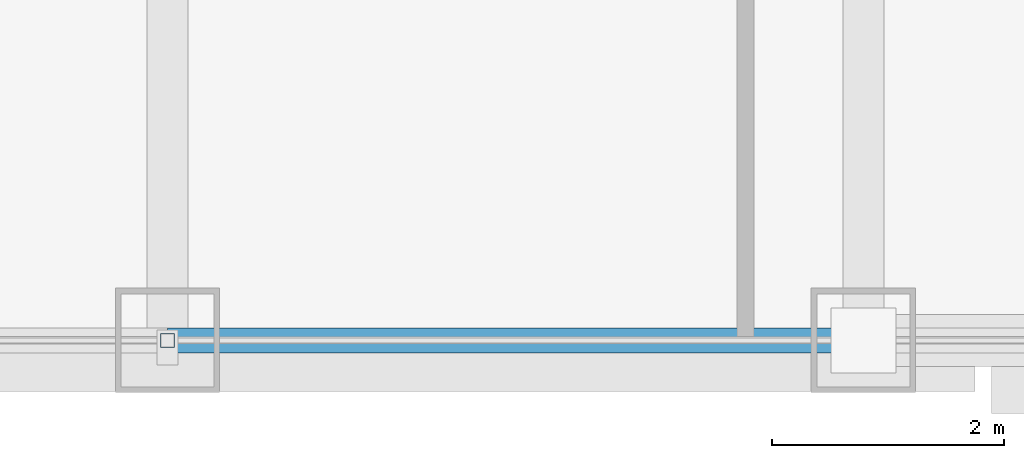
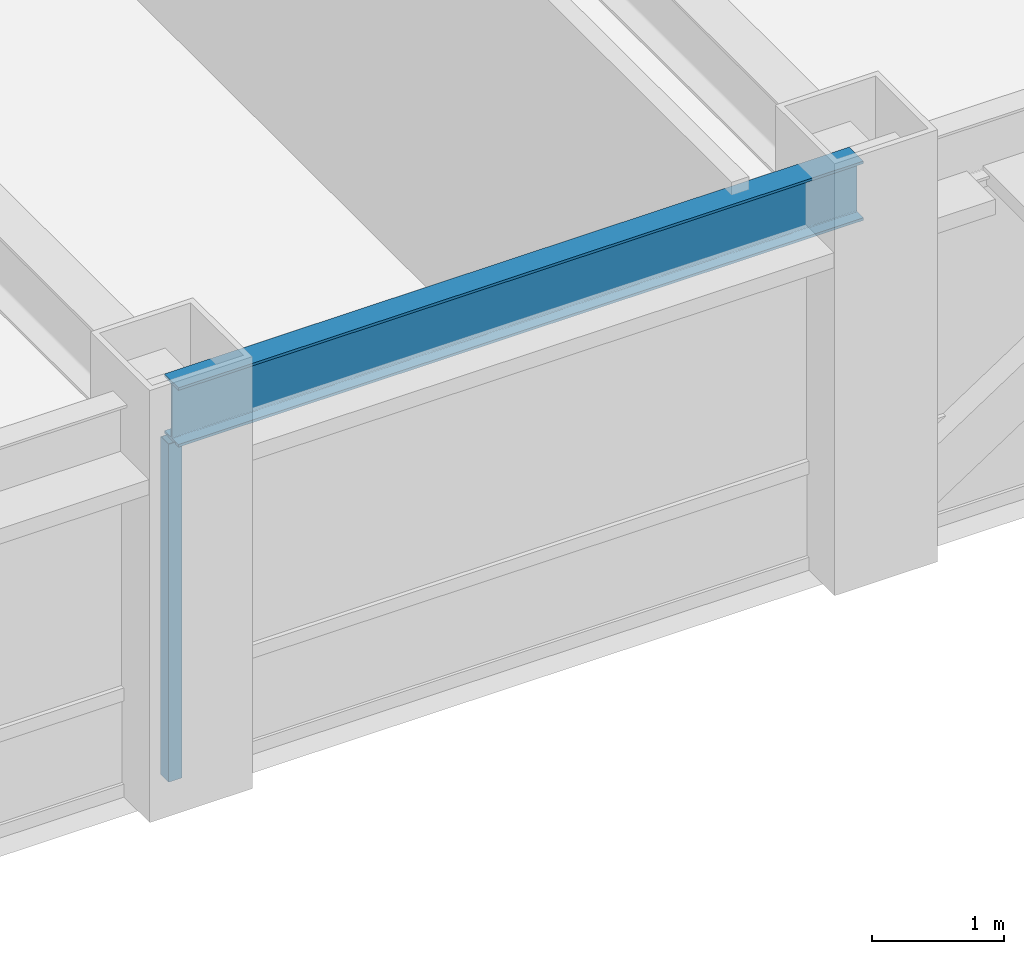
# One storey, part 4 of 27: 1 beam, 1 member, 1 element without a shape of its own.
"""IFC4 building model written with IfcOpenShell, lengths in metres."""

import ifcopenshell
import ifcopenshell.guid

model = None  # the IFC model being written
_history = None  # IfcOwnerHistory: only IFC2X3 demands one
_inside = {}  # id of a spatial element -> (the spatial element, [elements in it])
_under = {}  # id of a project, library or spatial element -> (it, [spatial elements below it])
_declared = {}  # id of a project -> (the project, [libraries it declares])
_typed = {}  # id of a type object -> (the type object, [elements of that type])
_made_of = {}  # id of a material, layer set ... -> (it, [elements and type objects made of it])


def new_model(schema):
    """Start an empty IFC model of exactly this schema.

    Asked for "IFC4X3", IfcOpenShell would pick the latest addendum, in which some entities
    have other attributes; the version numbers below select the first issue.
    IFC2X3 requires an IfcOwnerHistory on every rooted entity: one is made here for all.
    """
    global model, _history
    if schema == "IFC4X3":
        model = ifcopenshell.file(schema_version=(4, 3, 0, 0))
    else:
        model = ifcopenshell.file(schema=schema)
    _inside.clear()
    _under.clear()
    _declared.clear()
    _typed.clear()
    _made_of.clear()
    _history = None
    if model.schema == "IFC2X3":
        org = make("IfcOrganization", Name="unknown")
        user = make(
            "IfcPersonAndOrganization",
            ThePerson=make("IfcPerson", FamilyName="unknown"),
            TheOrganization=org,
        )
        app = make(
            "IfcApplication",
            ApplicationDeveloper=org,
            Version="unknown",
            ApplicationFullName="unknown",
            ApplicationIdentifier="unknown",
        )
        _history = make(
            "IfcOwnerHistory",
            OwningUser=user,
            OwningApplication=app,
            ChangeAction="ADDED",
            CreationDate=0,
        )
    return model


def make(cls, **values):
    """One entity of the class cls with the attributes given. An attribute that is None is left unset."""
    return model.create_entity(
        cls, **{name: value for name, value in values.items() if value is not None}
    )


def rooted(cls, **values):
    """An entity with a GlobalId (a new one), such as an element, a storey or a relation."""
    return make(cls, GlobalId=ifcopenshell.guid.new(), OwnerHistory=_history, **values)


def si_unit(unit_type, name, prefix=None):
    """IfcSIUnit, for example si_unit("LENGTHUNIT", "METRE", prefix="MILLI")."""
    return make("IfcSIUnit", UnitType=unit_type, Prefix=prefix, Name=name)


def assignment(units):
    """IfcUnitAssignment: the units of a project."""
    return None if units is None else make("IfcUnitAssignment", Units=units)


def point(xyz):
    """IfcCartesianPoint."""
    return None if xyz is None else make("IfcCartesianPoint", Coordinates=xyz)


def direction(xyz):
    """IfcDirection."""
    return None if xyz is None else make("IfcDirection", DirectionRatios=xyz)


def frame(location, z_axis=None, x_axis=None):
    """IfcAxis2Placement3D, a coordinate frame: its origin and axes. An axis left out is left unset."""
    return make(
        "IfcAxis2Placement3D",
        Location=point(location),
        Axis=direction(z_axis),
        RefDirection=direction(x_axis),
    )


def frame_2d(location, x_axis=None):
    """IfcAxis2Placement2D, a coordinate frame in the plane: its origin and x axis."""
    return make(
        "IfcAxis2Placement2D", Location=point(location), RefDirection=direction(x_axis)
    )


def origin():
    """The frame at (0, 0, 0) with its axes left unset."""
    return frame((0.0, 0.0, 0.0))


def origin_2d():
    """The frame at (0, 0) in the plane with its x axis left unset."""
    return frame_2d((0.0, 0.0))


def place(relative_to, where):
    """IfcLocalPlacement: puts the frame where relative to a parent placement (None: the world)."""
    return make(
        "IfcLocalPlacement", PlacementRelTo=relative_to, RelativePlacement=where
    )


def context(
    kind, dimensions, precision=None, world=None, true_north=None, identifier=None
):
    """IfcGeometricRepresentationContext, for example the 3D "Model" context."""
    return make(
        "IfcGeometricRepresentationContext",
        ContextIdentifier=identifier,
        ContextType=kind,
        CoordinateSpaceDimension=dimensions,
        Precision=precision,
        WorldCoordinateSystem=world,
        TrueNorth=true_north,
    )


def subcontext(parent, identifier, kind, view, scale=None):
    """IfcGeometricRepresentationSubContext, for example "Body" below "Model"."""
    return make(
        "IfcGeometricRepresentationSubContext",
        ContextIdentifier=identifier,
        ContextType=kind,
        ParentContext=parent,
        TargetScale=scale,
        TargetView=view,
    )


def project(units=None, contexts=None):
    """IfcProject with its units and contexts."""
    return rooted(
        "IfcProject",
        Name="project",
        RepresentationContexts=contexts,
        UnitsInContext=assignment(units),
    )


def spatial(cls, under=None, at=None, **own):
    """A site, building, storey or space (cls), placed at a placement, below another one or the project."""
    s = rooted(cls, ObjectPlacement=at, **own)
    if under is not None:
        _under.setdefault(under.id(), (under, []))[1].append(s)
    return s


def profile(cls, at=None, kind="AREA", **sizes):
    """A parametric profile (cls). Its sizes go by their IFC names, for example OverallWidth=200.0."""
    return make(cls, ProfileType=kind, Position=at, **sizes)


def hollow_rectangle(**sizes):
    """IfcRectangleHollowProfileDef."""
    return profile("IfcRectangleHollowProfileDef", **sizes)


def i_section(**sizes):
    """IfcIShapeProfileDef."""
    return profile("IfcIShapeProfileDef", **sizes)


def extrude(swept, where, along, depth):
    """IfcExtrudedAreaSolid: the profile swept, set in the frame where, extruded along a direction by depth."""
    return make(
        "IfcExtrudedAreaSolid",
        SweptArea=swept,
        Position=where,
        ExtrudedDirection=direction(along),
        Depth=depth,
    )


def shape(context_of_items, identifier, shape_type, items):
    """IfcShapeRepresentation: the items that make up one representation, for example the "Body"."""
    return make(
        "IfcShapeRepresentation",
        ContextOfItems=context_of_items,
        RepresentationIdentifier=identifier,
        RepresentationType=shape_type,
        Items=items,
    )


def source(mapping_origin, context_of_items, identifier, shape_type, items):
    """IfcRepresentationMap: a shape defined once, which mapped items show again and again."""
    return make(
        "IfcRepresentationMap",
        MappingOrigin=mapping_origin,
        MappedRepresentation=shape(context_of_items, identifier, shape_type, items),
    )


def transform(
    local_origin,
    x_axis=None,
    y_axis=None,
    z_axis=None,
    scale=None,
    scale2=None,
    scale3=None,
    uniform=True,
):
    """IfcCartesianTransformationOperator3D, or its non-uniform kind. x_axis, y_axis, z_axis: its Axis1, 2, 3."""
    if uniform:
        return make(
            "IfcCartesianTransformationOperator3D",
            Axis1=direction(x_axis),
            Axis2=direction(y_axis),
            LocalOrigin=point(local_origin),
            Scale=scale,
            Axis3=direction(z_axis),
        )
    return make(
        "IfcCartesianTransformationOperator3DnonUniform",
        Axis1=direction(x_axis),
        Axis2=direction(y_axis),
        LocalOrigin=point(local_origin),
        Scale=scale,
        Axis3=direction(z_axis),
        Scale2=scale2,
        Scale3=scale3,
    )


def mapped(mapping_source, mapping_target):
    """IfcMappedItem: shows the shape of a source again, moved by a transform."""
    return make(
        "IfcMappedItem", MappingSource=mapping_source, MappingTarget=mapping_target
    )


def material(Name=None, Category=None):
    """IfcMaterial."""
    return make("IfcMaterial", Name=Name, Category=Category)


def material_profile(
    of_material, cross_section, Name=None, Category=None, Priority=None
):
    """IfcMaterialProfile: a cross section and its material."""
    return make(
        "IfcMaterialProfile",
        Name=Name,
        Material=of_material,
        Profile=cross_section,
        Priority=Priority,
        Category=Category,
    )


def profile_set(profiles, Name=None, composite=None):
    """IfcMaterialProfileSet."""
    return make(
        "IfcMaterialProfileSet",
        Name=Name,
        MaterialProfiles=profiles,
        CompositeProfile=composite,
    )


def made_of(thing, what):
    """Note that an element or type object is made of a material, layer set ...; save() writes the relation."""
    if what is not None:
        _made_of.setdefault(what.id(), (what, []))[1].append(thing)
    return thing


def type_object(cls, material=None, **own):
    """A type object (cls), such as IfcWallType, which elements share."""
    return made_of(rooted(cls, **own), material)


def element(
    cls,
    number,
    at=None,
    inside=None,
    cuts=None,
    type_object=None,
    material=None,
    context=None,
    identifier="Body",
    shape_type=None,
    held_by="IfcProductDefinitionShape",
    body=None,
    shapes=None,
    **own,
):
    """One element of the class cls, such as IfcWall. Its Tag is "e" and its number.

    at: its placement. inside: the storey or other place that contains it. cuts: it is an
    opening in that element (IfcRelVoidsElement). A single representation is given by context,
    identifier, shape_type and body (its items); several are given by shapes. held_by: the class
    of the entity that holds the representations. save() writes the other relations.
    """
    e = rooted(cls, Tag="e%d" % number, ObjectPlacement=at, **own)
    if body is not None:
        shapes = [shape(context, identifier, shape_type, body)]
    if shapes is not None:
        e.Representation = make(held_by, Representations=shapes)
    if inside is not None:
        _inside.setdefault(inside.id(), (inside, []))[1].append(e)
    if cuts is not None:
        rooted(
            "IfcRelVoidsElement", RelatingBuildingElement=cuts, RelatedOpeningElement=e
        )
    if type_object is not None:
        _typed.setdefault(type_object.id(), (type_object, []))[1].append(e)
    return made_of(e, material)


def aggregate(whole, parts):
    """IfcRelAggregates: a whole, such as a stair, and the parts it consists of."""
    return rooted("IfcRelAggregates", RelatingObject=whole, RelatedObjects=parts)


def save(model, path):
    """Write the relations noted so far, then the file.

    IfcRelAggregates (storeys below a building ...), IfcRelContainedInSpatialStructure (elements
    in a storey), IfcRelDefinesByType, IfcRelAssociatesMaterial and IfcRelDeclares: one each for
    every whole, place, type object, material and project.
    """
    for whole, parts in _under.values():
        aggregate(whole, parts)
    for where, things in _inside.values():
        rooted(
            "IfcRelContainedInSpatialStructure",
            RelatedElements=things,
            RelatingStructure=where,
        )
    for kind, things in _typed.values():
        rooted("IfcRelDefinesByType", RelatedObjects=things, RelatingType=kind)
    for what, things in _made_of.values():
        rooted("IfcRelAssociatesMaterial", RelatedObjects=things, RelatingMaterial=what)
    for by, libraries in _declared.values():
        rooted("IfcRelDeclares", RelatingContext=by, RelatedDefinitions=libraries)
    model.write(path)


model = new_model("IFC4")

# Units and contexts
model_context = context("Model", 3, precision=1e-05, world=origin(), true_north=direction((0.0, 1.0)))
body_context = subcontext(model_context, "Body", "Model", "MODEL_VIEW")
ifc_project = project(units=[si_unit("LENGTHUNIT", "METRE"), si_unit("AREAUNIT", "SQUARE_METRE"), si_unit("VOLUMEUNIT", "CUBIC_METRE"), si_unit("PLANEANGLEUNIT", "RADIAN"), si_unit("MASSUNIT", "GRAM", prefix="KILO")], contexts=[model_context])

# Site, building, storey
site_placement = place(None, origin())
site = spatial("IfcSite", under=ifc_project, at=site_placement, CompositionType="ELEMENT")
building_placement = place(site_placement, origin())
building = spatial("IfcBuilding", under=site, at=building_placement, Name="Khorayat Bourse Tower", CompositionType="ELEMENT")
storey_placement = place(building_placement, frame((0.0, 0.0, 317.5)))
storey = spatial("IfcBuildingStorey", under=building, at=storey_placement, Name="L75", CompositionType="ELEMENT", Elevation=317.5)

# Beam
ifc_material_1 = material(Name="Steel ASTM A992 Grade 50", Category="steel")
ifc_material_profile_1 = material_profile(ifc_material_1, i_section(OverallWidth=0.214111328125, OverallDepth=0.549072265625, WebThickness=0.0146484375, FlangeThickness=0.023681640625, FilletRadius=0.013916015625, at=origin_2d()), Name="W530X138")
ifc_profile_set_1 = profile_set([ifc_material_profile_1], Name="Steel ASTM A992 Grade 50")
beam_type = type_object("IfcBeamType", Name="BM-SPAN-530", PredefinedType="SPANDREL", material=ifc_profile_set_1)
shared_shape_1 = source(origin(), body_context, "Body", "SweptSolid", [
    extrude(i_section(OverallWidth=0.214111328125, OverallDepth=0.549072265625, WebThickness=0.0146484375, FlangeThickness=0.023681640625, FilletRadius=0.013916015625, at=origin_2d()), origin(), (0.0, 0.0, 1.0), 6.0),
])
beam_placement = place(storey_placement, frame((0.0, -28.0, 3.385498046875), z_axis=(1.0, 0.0, 0.0), x_axis=(0.0, 1.0, 0.0)))
element("IfcBeam", 1, at=beam_placement, inside=storey, type_object=beam_type, Name="L75 BM-SPAN-530 BM-L75-SPN-028", PredefinedType="SPANDREL", context=body_context, shape_type="MappedRepresentation", body=[
    mapped(shared_shape_1, transform((0.0, 0.0, 0.0), scale=1.0)),
])

# Curtain wall, member
ifc_material_2 = material(Name="Aluminium EN AW-6063 T6", Category="aluminium")
curtain_wall_type = type_object("IfcCurtainWallType", Name="CW-SYS-04", PredefinedType="NOTDEFINED", material=ifc_material_2)
curtain_wall_placement = place(storey_placement, origin())
curtain_wall = element("IfcCurtainWall", 2, at=curtain_wall_placement, inside=storey, type_object=curtain_wall_type, Name="L75 Curtain Wall CW-L75-S1", PredefinedType="NOTDEFINED")
ifc_material_profile_2 = material_profile(ifc_material_2, hollow_rectangle(XDim=0.1201171875, YDim=0.1201171875, WallThickness=0.0048828125, at=origin_2d()), Name="ALU 120x120x5")
ifc_profile_set_2 = profile_set([ifc_material_profile_2], Name="Aluminium EN AW-6063 T6")
member_type = type_object("IfcMemberType", Name="CWM-VERT-120", PredefinedType="MULLION", material=ifc_profile_set_2)
shared_shape_2 = source(origin(), body_context, "Body", "SweptSolid", [
    extrude(hollow_rectangle(XDim=0.1201171875, YDim=0.1201171875, WallThickness=0.0048828125, at=origin_2d()), origin(), (0.0, 0.0, 1.0), 3.1298828125),
])
member_placement = place(storey_placement, frame((0.0, -28.0, 0.0), z_axis=(0.0, 0.0, 1.0), x_axis=(0.0, 1.0, 0.0)))
member = element("IfcMember", 3, at=member_placement, type_object=member_type, Name="CW-L75-S1 Vertical Mullion 2", PredefinedType="MULLION", context=body_context, shape_type="MappedRepresentation", body=[
    mapped(shared_shape_2, transform((0.0, 0.0, 0.0), scale=1.0)),
])
aggregate(curtain_wall, [member])

save(model, "model.ifc")
